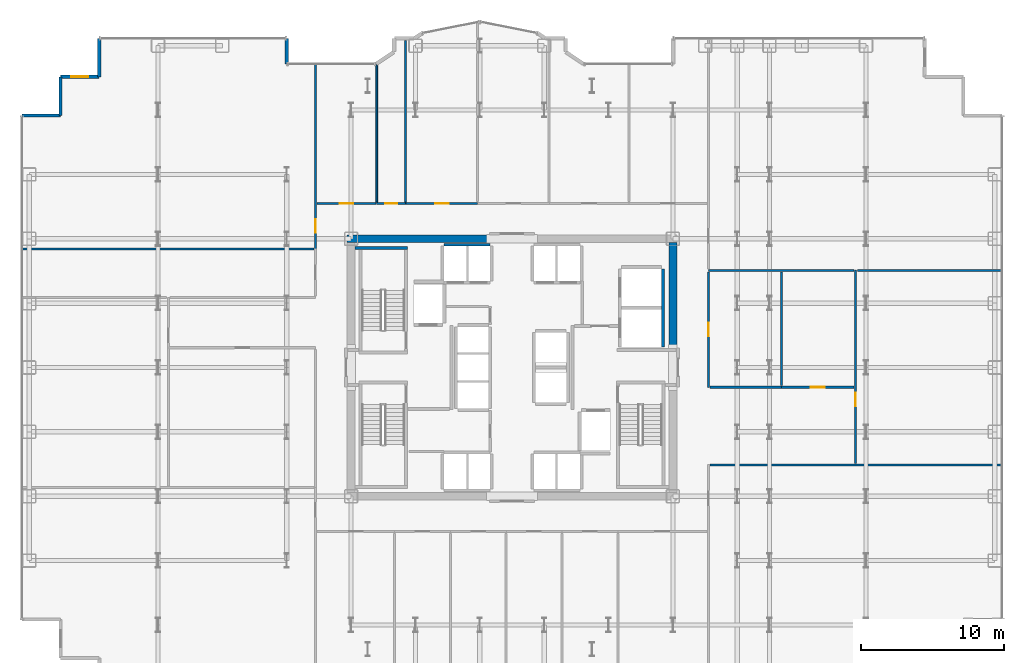
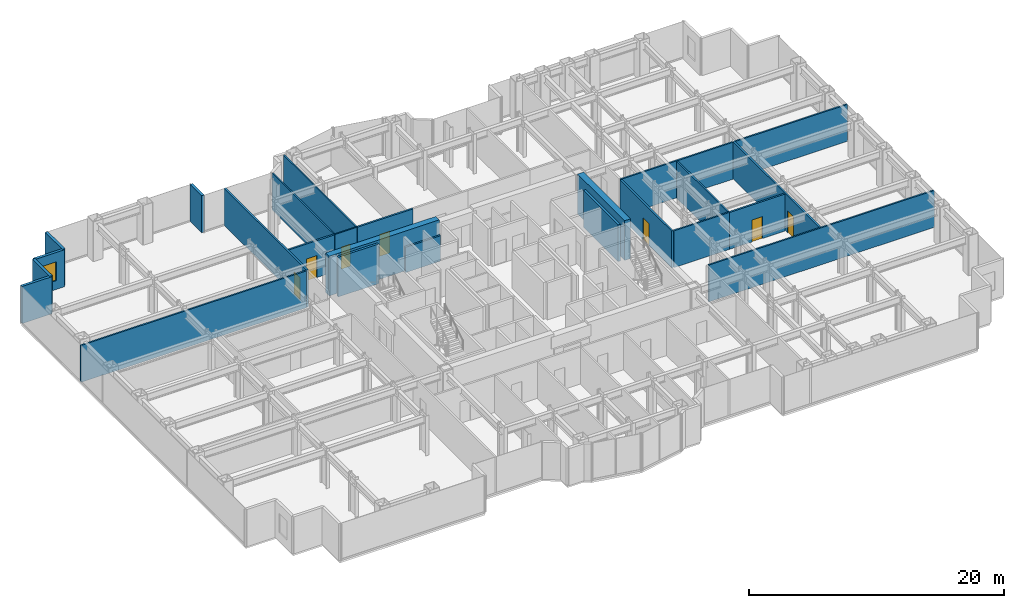
# One storey, part 23 of 25: 25 walls, 7 doors, 1 window, 8 openings.
"""IFC4 building model written with IfcOpenShell, lengths in metres."""

import ifcopenshell
import ifcopenshell.guid

model = None  # the IFC model being written
_history = None  # IfcOwnerHistory: only IFC2X3 demands one
_inside = {}  # id of a spatial element -> (the spatial element, [elements in it])
_under = {}  # id of a project, library or spatial element -> (it, [spatial elements below it])
_declared = {}  # id of a project -> (the project, [libraries it declares])
_typed = {}  # id of a type object -> (the type object, [elements of that type])
_made_of = {}  # id of a material, layer set ... -> (it, [elements and type objects made of it])


def new_model(schema):
    """Start an empty IFC model of exactly this schema.

    Asked for "IFC4X3", IfcOpenShell would pick the latest addendum, in which some entities
    have other attributes; the version numbers below select the first issue.
    IFC2X3 requires an IfcOwnerHistory on every rooted entity: one is made here for all.
    """
    global model, _history
    if schema == "IFC4X3":
        model = ifcopenshell.file(schema_version=(4, 3, 0, 0))
    else:
        model = ifcopenshell.file(schema=schema)
    _inside.clear()
    _under.clear()
    _declared.clear()
    _typed.clear()
    _made_of.clear()
    _history = None
    if model.schema == "IFC2X3":
        org = make("IfcOrganization", Name="unknown")
        user = make(
            "IfcPersonAndOrganization",
            ThePerson=make("IfcPerson", FamilyName="unknown"),
            TheOrganization=org,
        )
        app = make(
            "IfcApplication",
            ApplicationDeveloper=org,
            Version="unknown",
            ApplicationFullName="unknown",
            ApplicationIdentifier="unknown",
        )
        _history = make(
            "IfcOwnerHistory",
            OwningUser=user,
            OwningApplication=app,
            ChangeAction="ADDED",
            CreationDate=0,
        )
    return model


def make(cls, **values):
    """One entity of the class cls with the attributes given. An attribute that is None is left unset."""
    return model.create_entity(
        cls, **{name: value for name, value in values.items() if value is not None}
    )


def rooted(cls, **values):
    """An entity with a GlobalId (a new one), such as an element, a storey or a relation."""
    return make(cls, GlobalId=ifcopenshell.guid.new(), OwnerHistory=_history, **values)


def si_unit(unit_type, name, prefix=None):
    """IfcSIUnit, for example si_unit("LENGTHUNIT", "METRE", prefix="MILLI")."""
    return make("IfcSIUnit", UnitType=unit_type, Prefix=prefix, Name=name)


def assignment(units):
    """IfcUnitAssignment: the units of a project."""
    return None if units is None else make("IfcUnitAssignment", Units=units)


def point(xyz):
    """IfcCartesianPoint."""
    return None if xyz is None else make("IfcCartesianPoint", Coordinates=xyz)


def direction(xyz):
    """IfcDirection."""
    return None if xyz is None else make("IfcDirection", DirectionRatios=xyz)


def frame(location, z_axis=None, x_axis=None):
    """IfcAxis2Placement3D, a coordinate frame: its origin and axes. An axis left out is left unset."""
    return make(
        "IfcAxis2Placement3D",
        Location=point(location),
        Axis=direction(z_axis),
        RefDirection=direction(x_axis),
    )


def frame_2d(location, x_axis=None):
    """IfcAxis2Placement2D, a coordinate frame in the plane: its origin and x axis."""
    return make(
        "IfcAxis2Placement2D", Location=point(location), RefDirection=direction(x_axis)
    )


def origin():
    """The frame at (0, 0, 0) with its axes left unset."""
    return frame((0.0, 0.0, 0.0))


def place(relative_to, where):
    """IfcLocalPlacement: puts the frame where relative to a parent placement (None: the world)."""
    return make(
        "IfcLocalPlacement", PlacementRelTo=relative_to, RelativePlacement=where
    )


def context(
    kind, dimensions, precision=None, world=None, true_north=None, identifier=None
):
    """IfcGeometricRepresentationContext, for example the 3D "Model" context."""
    return make(
        "IfcGeometricRepresentationContext",
        ContextIdentifier=identifier,
        ContextType=kind,
        CoordinateSpaceDimension=dimensions,
        Precision=precision,
        WorldCoordinateSystem=world,
        TrueNorth=true_north,
    )


def subcontext(parent, identifier, kind, view, scale=None):
    """IfcGeometricRepresentationSubContext, for example "Body" below "Model"."""
    return make(
        "IfcGeometricRepresentationSubContext",
        ContextIdentifier=identifier,
        ContextType=kind,
        ParentContext=parent,
        TargetScale=scale,
        TargetView=view,
    )


def project(units=None, contexts=None):
    """IfcProject with its units and contexts."""
    return rooted(
        "IfcProject",
        Name="project",
        RepresentationContexts=contexts,
        UnitsInContext=assignment(units),
    )


def spatial(cls, under=None, at=None, **own):
    """A site, building, storey or space (cls), placed at a placement, below another one or the project."""
    s = rooted(cls, ObjectPlacement=at, **own)
    if under is not None:
        _under.setdefault(under.id(), (under, []))[1].append(s)
    return s


def profile(cls, at=None, kind="AREA", **sizes):
    """A parametric profile (cls). Its sizes go by their IFC names, for example OverallWidth=200.0."""
    return make(cls, ProfileType=kind, Position=at, **sizes)


def rectangle(**sizes):
    """IfcRectangleProfileDef."""
    return profile("IfcRectangleProfileDef", **sizes)


def extrude(swept, where, along, depth):
    """IfcExtrudedAreaSolid: the profile swept, set in the frame where, extruded along a direction by depth."""
    return make(
        "IfcExtrudedAreaSolid",
        SweptArea=swept,
        Position=where,
        ExtrudedDirection=direction(along),
        Depth=depth,
    )


def shape(context_of_items, identifier, shape_type, items):
    """IfcShapeRepresentation: the items that make up one representation, for example the "Body"."""
    return make(
        "IfcShapeRepresentation",
        ContextOfItems=context_of_items,
        RepresentationIdentifier=identifier,
        RepresentationType=shape_type,
        Items=items,
    )


def source(mapping_origin, context_of_items, identifier, shape_type, items):
    """IfcRepresentationMap: a shape defined once, which mapped items show again and again."""
    return make(
        "IfcRepresentationMap",
        MappingOrigin=mapping_origin,
        MappedRepresentation=shape(context_of_items, identifier, shape_type, items),
    )


def transform(
    local_origin,
    x_axis=None,
    y_axis=None,
    z_axis=None,
    scale=None,
    scale2=None,
    scale3=None,
    uniform=True,
):
    """IfcCartesianTransformationOperator3D, or its non-uniform kind. x_axis, y_axis, z_axis: its Axis1, 2, 3."""
    if uniform:
        return make(
            "IfcCartesianTransformationOperator3D",
            Axis1=direction(x_axis),
            Axis2=direction(y_axis),
            LocalOrigin=point(local_origin),
            Scale=scale,
            Axis3=direction(z_axis),
        )
    return make(
        "IfcCartesianTransformationOperator3DnonUniform",
        Axis1=direction(x_axis),
        Axis2=direction(y_axis),
        LocalOrigin=point(local_origin),
        Scale=scale,
        Axis3=direction(z_axis),
        Scale2=scale2,
        Scale3=scale3,
    )


def mapped(mapping_source, mapping_target):
    """IfcMappedItem: shows the shape of a source again, moved by a transform."""
    return make(
        "IfcMappedItem", MappingSource=mapping_source, MappingTarget=mapping_target
    )


def material(Name=None, Category=None):
    """IfcMaterial."""
    return make("IfcMaterial", Name=Name, Category=Category)


def layer(
    of_material, thickness, ventilated=None, Name=None, Category=None, Priority=None
):
    """IfcMaterialLayer: one layer of a wall or slab, of a material (None: an air gap)."""
    return make(
        "IfcMaterialLayer",
        Material=of_material,
        LayerThickness=thickness,
        IsVentilated=ventilated,
        Name=Name,
        Category=Category,
        Priority=Priority,
    )


def layer_set(layers, Name=None):
    """IfcMaterialLayerSet."""
    return make("IfcMaterialLayerSet", MaterialLayers=layers, LayerSetName=Name)


def made_of(thing, what):
    """Note that an element or type object is made of a material, layer set ...; save() writes the relation."""
    if what is not None:
        _made_of.setdefault(what.id(), (what, []))[1].append(thing)
    return thing


def type_object(cls, material=None, **own):
    """A type object (cls), such as IfcWallType, which elements share."""
    return made_of(rooted(cls, **own), material)


def element(
    cls,
    number,
    at=None,
    inside=None,
    cuts=None,
    type_object=None,
    material=None,
    context=None,
    identifier="Body",
    shape_type=None,
    held_by="IfcProductDefinitionShape",
    body=None,
    shapes=None,
    **own,
):
    """One element of the class cls, such as IfcWall. Its Tag is "e" and its number.

    at: its placement. inside: the storey or other place that contains it. cuts: it is an
    opening in that element (IfcRelVoidsElement). A single representation is given by context,
    identifier, shape_type and body (its items); several are given by shapes. held_by: the class
    of the entity that holds the representations. save() writes the other relations.
    """
    e = rooted(cls, Tag="e%d" % number, ObjectPlacement=at, **own)
    if body is not None:
        shapes = [shape(context, identifier, shape_type, body)]
    if shapes is not None:
        e.Representation = make(held_by, Representations=shapes)
    if inside is not None:
        _inside.setdefault(inside.id(), (inside, []))[1].append(e)
    if cuts is not None:
        rooted(
            "IfcRelVoidsElement", RelatingBuildingElement=cuts, RelatedOpeningElement=e
        )
    if type_object is not None:
        _typed.setdefault(type_object.id(), (type_object, []))[1].append(e)
    return made_of(e, material)


def fill(opening, filler):
    """IfcRelFillsElement: the door or window that sits in an opening."""
    return rooted(
        "IfcRelFillsElement",
        RelatingOpeningElement=opening,
        RelatedBuildingElement=filler,
    )


def aggregate(whole, parts):
    """IfcRelAggregates: a whole, such as a stair, and the parts it consists of."""
    return rooted("IfcRelAggregates", RelatingObject=whole, RelatedObjects=parts)


def save(model, path):
    """Write the relations noted so far, then the file.

    IfcRelAggregates (storeys below a building ...), IfcRelContainedInSpatialStructure (elements
    in a storey), IfcRelDefinesByType, IfcRelAssociatesMaterial and IfcRelDeclares: one each for
    every whole, place, type object, material and project.
    """
    for whole, parts in _under.values():
        aggregate(whole, parts)
    for where, things in _inside.values():
        rooted(
            "IfcRelContainedInSpatialStructure",
            RelatedElements=things,
            RelatingStructure=where,
        )
    for kind, things in _typed.values():
        rooted("IfcRelDefinesByType", RelatedObjects=things, RelatingType=kind)
    for what, things in _made_of.values():
        rooted("IfcRelAssociatesMaterial", RelatedObjects=things, RelatingMaterial=what)
    for by, libraries in _declared.values():
        rooted("IfcRelDeclares", RelatingContext=by, RelatedDefinitions=libraries)
    model.write(path)


model = new_model("IFC4")

# Units and contexts
model_context = context("Model", 3, precision=1e-05, world=origin(), true_north=direction((0.0, 1.0)))
body_context = subcontext(model_context, "Body", "Model", "MODEL_VIEW")
ifc_project = project(units=[si_unit("LENGTHUNIT", "METRE"), si_unit("AREAUNIT", "SQUARE_METRE"), si_unit("VOLUMEUNIT", "CUBIC_METRE"), si_unit("PLANEANGLEUNIT", "RADIAN"), si_unit("MASSUNIT", "GRAM", prefix="KILO")], contexts=[model_context])

# Site, building, storey
site_placement = place(None, origin())
site = spatial("IfcSite", under=ifc_project, at=site_placement, CompositionType="ELEMENT")
building_placement = place(site_placement, origin())
building = spatial("IfcBuilding", under=site, at=building_placement, Name="Nefas-Gora Pilgrimage Tower", CompositionType="ELEMENT")
storey_placement = place(building_placement, frame((0.0, 0.0, 98.39990234375)))
storey = spatial("IfcBuildingStorey", under=building, at=storey_placement, Name="L23", CompositionType="ELEMENT", Elevation=98.39990234375)

# Walls
ifc_material_1 = material(Name="Concrete C60/75", Category="concrete")
ifc_layer_1 = layer(ifc_material_1, 0.550048828125)
ifc_layer_set_1 = layer_set([ifc_layer_1], Name="Concrete C60/75")
wall_type_1 = type_object("IfcWallType", Name="SW-CORE-550", PredefinedType="SHEAR", material=ifc_layer_set_1)
shared_shape_1 = source(origin(), body_context, "Body", "SweptSolid", [
    extrude(rectangle(XDim=9.974853515625, YDim=0.550048828125, at=frame_2d((4.9873046875, 0.0))), origin(), (0.0, 0.0, 1.0), 3.800048828125),
])
wall_1_placement = place(storey_placement, frame((-11.52490234375, 9.0, 0.0), z_axis=(0.0, 0.0, 1.0), x_axis=(1.0, 0.0, 0.0)))
element("IfcWall", 1, at=wall_1_placement, inside=storey, type_object=wall_type_1, Name="L23 Core Shear Wall N-West", PredefinedType="SHEAR", context=body_context, shape_type="MappedRepresentation", body=[
    mapped(shared_shape_1, transform((0.0, 0.0, 0.0), x_axis=(1.0, 0.0, 0.0), y_axis=(0.0, 1.0, 0.0), z_axis=(0.0, 0.0, 1.0), scale=1.0)),
])
shared_shape_2 = source(origin(), body_context, "Body", "SweptSolid", [
    extrude(rectangle(XDim=7.375, YDim=0.550048828125, at=frame_2d((3.6875, 0.0))), origin(), (0.0, 0.0, 1.0), 3.800048828125),
])
wall_2_placement = place(storey_placement, frame((11.25, 1.35009765625, 0.0), z_axis=(0.0, 0.0, 1.0), x_axis=(0.0, 1.0, 0.0)))
element("IfcWall", 2, at=wall_2_placement, inside=storey, type_object=wall_type_1, Name="L23 Core Shear Wall E-North", PredefinedType="SHEAR", context=body_context, shape_type="MappedRepresentation", body=[
    mapped(shared_shape_2, transform((0.0, 0.0, 0.0), x_axis=(1.0, 0.0, 0.0), y_axis=(0.0, 1.0, 0.0), z_axis=(0.0, 0.0, 1.0), scale=1.0)),
])
ifc_material_2 = material(Name="Precast concrete C40/50", Category="concrete")
ifc_layer_2 = layer(ifc_material_2, 0.260009765625)
ifc_layer_set_2 = layer_set([ifc_layer_2], Name="Precast concrete C40/50")
wall_type_2 = type_object("IfcWallType", Name="EW-PORTAL-260", PredefinedType="SOLIDWALL", material=ifc_layer_set_2)
shared_shape_3 = source(origin(), body_context, "Body", "SweptSolid", [
    extrude(rectangle(XDim=1.800048828125, YDim=0.260009765625, at=frame_2d((0.89990234375, 0.0))), origin(), (0.0, 0.0, 1.0), 3.550048828125),
])
wall_3_placement = place(storey_placement, frame((-15.75, 21.219970703125, 0.0), z_axis=(0.0, 0.0, 1.0), x_axis=(0.0, 1.0, 0.0)))
element("IfcWall", 3, at=wall_3_placement, inside=storey, type_object=wall_type_2, Name="L23 Lobe Shoulder Precast Spandrel Pier 19", PredefinedType="SOLIDWALL", context=body_context, shape_type="MappedRepresentation", body=[
    mapped(shared_shape_3, transform((0.0, 0.0, 0.0), x_axis=(1.0, 0.0, 0.0), y_axis=(0.0, 1.0, 0.0), z_axis=(0.0, 0.0, 1.0), scale=1.0)),
])
ifc_material_3 = material(Name="Precast concrete C45/55", Category="concrete")
ifc_layer_3 = layer(ifc_material_3, 0.239990234375)
ifc_layer_set_3 = layer_set([ifc_layer_3], Name="Precast concrete C45/55")
wall_type_3 = type_object("IfcWallType", Name="EW-SERR-240", PredefinedType="SHEAR", material=ifc_layer_set_3)
shared_shape_4 = source(origin(), body_context, "Body", "SweptSolid", [
    extrude(rectangle(XDim=2.699951171875, YDim=0.239990234375, at=frame_2d((1.35009765625, 0.0))), origin(), (0.0, 0.0, 1.0), 3.550048828125),
])
wall_4_placement = place(storey_placement, frame((-28.8701171875, 23.02001953125, 0.0), z_axis=(0.0, 0.0, 1.0), x_axis=(0.0, -1.0, 0.0)))
element("IfcWall", 4, at=wall_4_placement, inside=storey, type_object=wall_type_3, Name="L23 Serrated Corner Shear Pier Wall 20", PredefinedType="SHEAR", context=body_context, shape_type="MappedRepresentation", body=[
    mapped(shared_shape_4, transform((0.0, 0.0, 0.0), x_axis=(1.0, 0.0, 0.0), y_axis=(0.0, 1.0, 0.0), z_axis=(0.0, 0.0, 1.0), scale=1.0)),
])

# Wall, opening, window
wall_5_placement = place(storey_placement, frame((-28.8701171875, 20.320068359375, 0.0), z_axis=(0.0, 0.0, 1.0), x_axis=(-1.0, 0.0, 0.0)))
wall_5 = element("IfcWall", 5, at=wall_5_placement, inside=storey, type_object=wall_type_3, Name="L23 Serrated Corner Shear Pier Wall 21", PredefinedType="SHEAR", context=body_context, shape_type="MappedRepresentation", body=[
    mapped(shared_shape_4, transform((0.0, 0.0, 0.0), x_axis=(1.0, 0.0, 0.0), y_axis=(0.0, 1.0, 0.0), z_axis=(0.0, 0.0, 1.0), scale=1.0)),
])
opening_1_placement = place(wall_5_placement, frame((0.75, 0.0, 0.85009765625)))
opening_1 = element("IfcOpeningElement", 6, at=opening_1_placement, cuts=wall_5, Name="Opening W-V1", PredefinedType="OPENING", context=body_context, shape_type="SweptSolid", body=[
    extrude(rectangle(XDim=1.199951171875, YDim=1.800048828125, at=frame_2d((0.60009765625, 0.89990234375))), frame((0.0, 0.1298828125, 0.0), z_axis=(0.0, -1.0, 0.0), x_axis=(1.0, 0.0, 0.0)), (0.0, 0.0, 1.0), 0.260009765625),
])
ifc_material_4 = material(Name="Dark ceramic-fritted operable aluminium-glass window", Category="aluminium")
window_type = type_object("IfcWindowType", Name="WIN-VENT-1200x1800", PartitioningType="SINGLE_PANEL", PredefinedType="WINDOW", material=ifc_material_4)
shared_shape_5 = source(origin(), body_context, "Body", "SweptSolid", [
    extrude(rectangle(XDim=1.199951171875, YDim=1.800048828125, at=frame_2d((0.60009765625, 0.89990234375))), frame((0.0, 0.030029296875, 0.0), z_axis=(0.0, -1.0, 0.0), x_axis=(1.0, 0.0, 0.0)), (0.0, 0.0, 1.0), 0.06005859375),
])
window_placement = place(opening_1_placement, origin())
window = element("IfcWindow", 7, at=window_placement, inside=storey, type_object=window_type, Name="L23 Operable Parallel-Outswing Window 21", OverallHeight=1.800048828125, OverallWidth=1.199951171875, PartitioningType="SINGLE_PANEL", PredefinedType="WINDOW", context=body_context, shape_type="MappedRepresentation", body=[
    mapped(shared_shape_5, transform((0.0, 0.0, 0.0), x_axis=(1.0, 0.0, 0.0), y_axis=(0.0, 1.0, 0.0), z_axis=(0.0, 0.0, 1.0), scale=1.0)),
])
fill(opening_1, window)

# Walls
for number, where, z_axis, x_axis, name in (
    (8, (-31.570068359375, 20.320068359375, 0.0), (0.0, 0.0, 1.0), (0.0, -1.0, 0.0), "L23 Serrated Corner Shear Pier Wall 22"),
    (9, (-31.570068359375, 17.6201171875, 0.0), (0.0, 0.0, 1.0), (-1.0, 0.0, 0.0), "L23 Serrated Corner Shear Pier Wall 23"),
):
    element("IfcWall", number, at=place(storey_placement, frame(where, z_axis=z_axis, x_axis=x_axis)), inside=storey, type_object=wall_type_3, Name=name, PredefinedType="SHEAR", context=body_context, shape_type="MappedRepresentation", body=[
        mapped(shared_shape_4, transform((0.0, 0.0, 0.0), x_axis=(1.0, 0.0, 0.0), y_axis=(0.0, 1.0, 0.0), z_axis=(0.0, 0.0, 1.0), scale=1.0)),
    ])
ifc_material_5 = material(Name="Concrete C45/55", Category="concrete")
ifc_layer_4 = layer(ifc_material_5, 0.199951171875)
ifc_layer_set_4 = layer_set([ifc_layer_4], Name="Concrete C45/55")
wall_type_4 = type_object("IfcWallType", Name="IW-STAIR-200", PredefinedType="SOLIDWALL", material=ifc_layer_set_4)
shared_shape_6 = source(origin(), body_context, "Body", "SweptSolid", [
    extrude(rectangle(XDim=3.679931640625, YDim=0.199951171875, at=frame_2d((1.83984375, 0.0))), origin(), (0.0, 0.0, 1.0), 3.800048828125),
])
wall_6_placement = place(storey_placement, frame((-7.300048828125, 8.35009765625, 0.0), z_axis=(0.0, 0.0, 1.0), x_axis=(-1.0, 0.0, 0.0)))
element("IfcWall", 10, at=wall_6_placement, inside=storey, type_object=wall_type_4, Name="L23 Stairwell Shear Wall ST-01-far", PredefinedType="SOLIDWALL", context=body_context, shape_type="MappedRepresentation", body=[
    mapped(shared_shape_6, transform((0.0, 0.0, 0.0), x_axis=(1.0, 0.0, 0.0), y_axis=(0.0, 1.0, 0.0), z_axis=(0.0, 0.0, 1.0), scale=1.0)),
])
ifc_material_6 = material(Name="Gypsum acoustic stud partition")
ifc_layer_5 = layer(ifc_material_6, 0.159912109375)
ifc_layer_set_5 = layer_set([ifc_layer_5], Name="Gypsum acoustic stud partition")
wall_type_5 = type_object("IfcWallType", Name="IW-CORR-160", PredefinedType="PARTITIONING", material=ifc_layer_set_5)
shared_shape_7 = source(origin(), body_context, "Body", "SweptSolid", [
    extrude(rectangle(XDim=3.199951171875, YDim=0.159912109375, at=frame_2d((1.60009765625, 0.0))), origin(), (0.0, 0.0, 1.0), 2.425048828125),
])
wall_7_placement = place(storey_placement, frame((-1.550048828125, 8.580078125, 0.0), z_axis=(0.0, 0.0, 1.0), x_axis=(-1.0, 0.0, 0.0)))
element("IfcWall", 11, at=wall_7_placement, inside=storey, type_object=wall_type_5, Name="L23 Hoistway Wall PL1-W-N", PredefinedType="PARTITIONING", context=body_context, shape_type="MappedRepresentation", body=[
    mapped(shared_shape_7, transform((0.0, 0.0, 0.0), x_axis=(1.0, 0.0, 0.0), y_axis=(0.0, 1.0, 0.0), z_axis=(0.0, 0.0, 1.0), scale=1.0)),
])
ifc_material_7 = material(Name="Concrete C40/50", Category="concrete")
ifc_layer_6 = layer(ifc_material_7, 0.219970703125)
ifc_layer_set_6 = layer_set([ifc_layer_6], Name="Concrete C40/50")
wall_type_6 = type_object("IfcWallType", Name="IW-SHAFT-220", PredefinedType="SOLIDWALL", material=ifc_layer_set_6)
shared_shape_8 = source(origin(), body_context, "Body", "SweptSolid", [
    extrude(rectangle(XDim=5.449951171875, YDim=0.219970703125, at=frame_2d((2.72509765625, 0.0))), origin(), (0.0, 0.0, 1.0), 3.53515625),
])
wall_8_placement = place(storey_placement, frame((10.56005859375, 1.449951171875, 0.0), z_axis=(0.0, 0.0, 1.0), x_axis=(0.0, 1.0, 0.0)))
element("IfcWall", 12, at=wall_8_placement, inside=storey, type_object=wall_type_6, Name="L23 Hoistway Wall SL-01-02-E", PredefinedType="SOLIDWALL", context=body_context, shape_type="MappedRepresentation", body=[
    mapped(shared_shape_8, transform((0.0, 0.0, 0.0), x_axis=(1.0, 0.0, 0.0), y_axis=(0.0, 1.0, 0.0), z_axis=(0.0, 0.0, 1.0), scale=1.0)),
])

# Wall, opening, door
ifc_material_8 = material(Name="Moisture-resistant fire-rated gypsum partition")
ifc_layer_7 = layer(ifc_material_8, 0.1201171875)
ifc_layer_set_7 = layer_set([ifc_layer_7], Name="Moisture-resistant fire-rated gypsum partition")
wall_type_7 = type_object("IfcWallType", Name="IW-WET-120", PredefinedType="PLUMBINGWALL", material=ifc_layer_set_7)
shared_shape_9 = source(origin(), body_context, "Body", "SweptSolid", [
    extrude(rectangle(XDim=2.02001953125, YDim=0.1201171875, at=frame_2d((1.010009765625, 0.0))), origin(), (0.0, 0.0, 1.0), 3.53515625),
])
wall_9_placement = place(storey_placement, frame((-9.4599609375, 11.469970703125, 0.0), z_axis=(0.0, 0.0, 1.0), x_axis=(1.0, 0.0, 0.0)))
wall_9 = element("IfcWall", 13, at=wall_9_placement, inside=storey, type_object=wall_type_7, Name="L23 Accessible Unisex WC Partition Wall 20", PredefinedType="PLUMBINGWALL", context=body_context, shape_type="MappedRepresentation", body=[
    mapped(shared_shape_9, transform((0.0, 0.0, 0.0), x_axis=(1.0, 0.0, 0.0), y_axis=(0.0, 1.0, 0.0), z_axis=(0.0, 0.0, 1.0), scale=1.0)),
])
opening_2_placement = place(wall_9_placement, frame((0.5849609375, 0.0, 0.0)))
opening_2 = element("IfcOpeningElement", 14, at=opening_2_placement, cuts=wall_9, Name="Opening ID-BT1", PredefinedType="OPENING", context=body_context, shape_type="SweptSolid", body=[
    extrude(rectangle(XDim=0.85009765625, YDim=2.10009765625, at=frame_2d((0.425048828125, 1.050048828125))), frame((0.0, 0.070068359375, 0.0), z_axis=(0.0, -1.0, 0.0), x_axis=(1.0, 0.0, 0.0)), (0.0, 0.0, 1.0), 0.14013671875),
])
ifc_material_9 = material(Name="Moisture-resistant fire-rated timber door", Category="wood")
door_type_1 = type_object("IfcDoorType", Name="DR-INT-BATH-850", OperationType="NOTDEFINED", PredefinedType="DOOR", material=ifc_material_9)
shared_shape_10 = source(origin(), body_context, "Body", "SweptSolid", [
    extrude(rectangle(XDim=0.85009765625, YDim=2.10009765625, at=frame_2d((0.425048828125, 1.050048828125))), frame((0.0, 0.02490234375, 0.0), z_axis=(0.0, -1.0, 0.0), x_axis=(1.0, 0.0, 0.0)), (0.0, 0.0, 1.0), 0.050048828125),
])
door_1_placement = place(opening_2_placement, origin())
door_1 = element("IfcDoor", 15, at=door_1_placement, inside=storey, type_object=door_type_1, Name="L23 Accessible Unisex WC Door 8", OperationType="SINGLE_SWING_LEFT", OverallHeight=2.10009765625, OverallWidth=0.85009765625, PredefinedType="DOOR", context=body_context, shape_type="MappedRepresentation", body=[
    mapped(shared_shape_10, transform((0.0, 0.0, 0.0), x_axis=(1.0, 0.0, 0.0), y_axis=(0.0, 1.0, 0.0), z_axis=(0.0, 0.0, 1.0), scale=1.0)),
])
fill(opening_2, door_1)

# Walls
shared_shape_11 = source(origin(), body_context, "Body", "SweptSolid", [
    extrude(rectangle(XDim=11.280029296875, YDim=0.1201171875, at=frame_2d((5.64013671875, 0.0))), origin(), (0.0, 0.0, 1.0), 3.53515625),
])
wall_10_placement = place(storey_placement, frame((-7.449951171875, 11.570068359375, 0.0), z_axis=(0.0, 0.0, 1.0), x_axis=(0.0, 1.0, 0.0)))
element("IfcWall", 16, at=wall_10_placement, inside=storey, type_object=wall_type_7, Name="L23 Accessible Unisex WC Partition Wall 21", PredefinedType="PLUMBINGWALL", context=body_context, shape_type="MappedRepresentation", body=[
    mapped(shared_shape_11, transform((0.0, 0.0, 0.0), x_axis=(1.0, 0.0, 0.0), y_axis=(0.0, 1.0, 0.0), z_axis=(0.0, 0.0, 1.0), scale=1.0)),
])
shared_shape_12 = source(origin(), body_context, "Body", "SweptSolid", [
    extrude(rectangle(XDim=9.586669921875, YDim=0.1201171875, at=frame_2d((4.79345703125, 0.0))), origin(), (0.0, 0.0, 1.0), 3.53515625),
])
wall_11_placement = place(storey_placement, frame((-9.449951171875, 11.570068359375, 0.0), z_axis=(0.0, 0.0, 1.0), x_axis=(0.0, 1.0, 0.0)))
element("IfcWall", 17, at=wall_11_placement, inside=storey, type_object=wall_type_7, Name="L23 Accessible Unisex WC Partition Wall 22", PredefinedType="PLUMBINGWALL", context=body_context, shape_type="MappedRepresentation", body=[
    mapped(shared_shape_12, transform((0.0, 0.0, 0.0), x_axis=(1.0, 0.0, 0.0), y_axis=(0.0, 1.0, 0.0), z_axis=(0.0, 0.0, 1.0), scale=1.0)),
])
ifc_material_10 = material(Name="Gypsum twin-stud partition")
ifc_layer_8 = layer(ifc_material_10, 0.139892578125)
ifc_layer_set_8 = layer_set([ifc_layer_8], Name="Gypsum twin-stud partition")
wall_type_8 = type_object("IfcWallType", Name="IW-UNIT-140", PredefinedType="PARTITIONING", material=ifc_layer_set_8)
shared_shape_13 = source(origin(), body_context, "Body", "SweptSolid", [
    extrude(rectangle(XDim=10.169921875, YDim=0.139892578125, at=frame_2d((5.0849609375, 0.0))), origin(), (0.0, 0.0, 1.0), 3.53515625),
])
wall_12_placement = place(storey_placement, frame((13.72998046875, 6.794921875, 0.0), z_axis=(0.0, 0.0, 1.0), x_axis=(1.0, 0.0, 0.0)))
element("IfcWall", 18, at=wall_12_placement, inside=storey, type_object=wall_type_8, Name="L23 Pilgrim Fellowship Seminar Room Partition Wall 36", PredefinedType="PARTITIONING", context=body_context, shape_type="MappedRepresentation", body=[
    mapped(shared_shape_13, transform((0.0, 0.0, 0.0), x_axis=(1.0, 0.0, 0.0), y_axis=(0.0, 1.0, 0.0), z_axis=(0.0, 0.0, 1.0), scale=1.0)),
])
shared_shape_14 = source(origin(), body_context, "Body", "SweptSolid", [
    extrude(rectangle(XDim=4.994873046875, YDim=0.139892578125, at=frame_2d((2.49755859375, 0.0))), origin(), (0.0, 0.0, 1.0), 3.53515625),
])
wall_13_placement = place(storey_placement, frame((13.860107421875, -1.3798828125, 0.0), z_axis=(0.0, 0.0, 1.0), x_axis=(1.0, 0.0, 0.0)))
element("IfcWall", 19, at=wall_13_placement, inside=storey, type_object=wall_type_8, Name="L23 Pilgrim Fellowship Seminar Room Partition Wall 39", PredefinedType="PARTITIONING", context=body_context, shape_type="MappedRepresentation", body=[
    mapped(shared_shape_14, transform((0.0, 0.0, 0.0), x_axis=(1.0, 0.0, 0.0), y_axis=(0.0, 1.0, 0.0), z_axis=(0.0, 0.0, 1.0), scale=1.0)),
])

# Wall, opening, door
shared_shape_15 = source(origin(), body_context, "Body", "SweptSolid", [
    extrude(rectangle(XDim=5.044921875, YDim=0.159912109375, at=frame_2d((2.5224609375, 0.0))), origin(), (0.0, 0.0, 1.0), 3.53515625),
])
wall_14_placement = place(storey_placement, frame((18.85498046875, -1.3798828125, 0.0), z_axis=(0.0, 0.0, 1.0), x_axis=(1.0, 0.0, 0.0)))
wall_14 = element("IfcWall", 20, at=wall_14_placement, inside=storey, type_object=wall_type_5, Name="L23 Pastoral Chaplains Counselling Office Partition Wall 41", PredefinedType="PARTITIONING", context=body_context, shape_type="MappedRepresentation", body=[
    mapped(shared_shape_15, transform((0.0, 0.0, 0.0), x_axis=(1.0, 0.0, 0.0), y_axis=(0.0, 1.0, 0.0), z_axis=(0.0, 0.0, 1.0), scale=1.0)),
])
opening_3_placement = place(wall_14_placement, frame((2.047607421875, 0.0, 0.0)))
opening_3 = element("IfcOpeningElement", 21, at=opening_3_placement, cuts=wall_14, Name="Opening ID-GR1", PredefinedType="OPENING", context=body_context, shape_type="SweptSolid", body=[
    extrude(rectangle(XDim=0.949951171875, YDim=2.10009765625, at=frame_2d((0.47509765625, 1.050048828125))), frame((0.0, 0.08984375, 0.0), z_axis=(0.0, -1.0, 0.0), x_axis=(1.0, 0.0, 0.0)), (0.0, 0.0, 1.0), 0.179931640625),
])
ifc_material_11 = material(Name="Solid core oak fire-rated guest entrance door")
door_type_2 = type_object("IfcDoorType", Name="DR-INT-GUEST-950", OperationType="NOTDEFINED", PredefinedType="DOOR", material=ifc_material_11)
shared_shape_16 = source(origin(), body_context, "Body", "SweptSolid", [
    extrude(rectangle(XDim=0.949951171875, YDim=2.10009765625, at=frame_2d((0.47509765625, 1.050048828125))), frame((0.0, 0.02490234375, 0.0), z_axis=(0.0, -1.0, 0.0), x_axis=(1.0, 0.0, 0.0)), (0.0, 0.0, 1.0), 0.050048828125),
])
door_2_placement = place(opening_3_placement, origin())
door_2 = element("IfcDoor", 22, at=door_2_placement, inside=storey, type_object=door_type_2, Name="L23 Pastoral Chaplains Counselling Office Door 17", OperationType="SINGLE_SWING_RIGHT", OverallHeight=2.10009765625, OverallWidth=0.949951171875, PredefinedType="DOOR", context=body_context, shape_type="MappedRepresentation", body=[
    mapped(shared_shape_16, transform((0.0, 0.0, 0.0), x_axis=(1.0, 0.0, 0.0), y_axis=(0.0, 1.0, 0.0), z_axis=(0.0, 0.0, 1.0), scale=1.0)),
])
fill(opening_3, door_2)

shared_shape_17 = source(origin(), body_context, "Body", "SweptSolid", [
    extrude(rectangle(XDim=4.125, YDim=0.159912109375, at=frame_2d((2.0625, 0.0))), origin(), (0.0, 0.0, 1.0), 3.53515625),
])
wall_15_placement = place(storey_placement, frame((-13.6201171875, 11.469970703125, 0.0), z_axis=(0.0, 0.0, 1.0), x_axis=(1.0, 0.0, 0.0)))
wall_15 = element("IfcWall", 23, at=wall_15_placement, inside=storey, type_object=wall_type_5, Name="L23 Pilgrim Contemplative Lounge Partition Wall 43", PredefinedType="PARTITIONING", context=body_context, shape_type="MappedRepresentation", body=[
    mapped(shared_shape_17, transform((0.0, 0.0, 0.0), x_axis=(1.0, 0.0, 0.0), y_axis=(0.0, 1.0, 0.0), z_axis=(0.0, 0.0, 1.0), scale=1.0)),
])
opening_4_placement = place(wall_15_placement, frame((1.58740234375, 0.0, 0.0)))
opening_4 = element("IfcOpeningElement", 24, at=opening_4_placement, cuts=wall_15, Name="Opening ID-GR1", PredefinedType="OPENING", context=body_context, shape_type="SweptSolid", body=[
    extrude(rectangle(XDim=0.949951171875, YDim=2.10009765625, at=frame_2d((0.47509765625, 1.050048828125))), frame((0.0, 0.08984375, 0.0), z_axis=(0.0, -1.0, 0.0), x_axis=(1.0, 0.0, 0.0)), (0.0, 0.0, 1.0), 0.179931640625),
])
door_3_placement = place(opening_4_placement, origin())
door_3 = element("IfcDoor", 25, at=door_3_placement, inside=storey, type_object=door_type_2, Name="L23 Pilgrim Contemplative Lounge Door 19", OperationType="SINGLE_SWING_RIGHT", OverallHeight=2.10009765625, OverallWidth=0.949951171875, PredefinedType="DOOR", context=body_context, shape_type="MappedRepresentation", body=[
    mapped(shared_shape_16, transform((0.0, 0.0, 0.0), x_axis=(1.0, 0.0, 0.0), y_axis=(0.0, 1.0, 0.0), z_axis=(0.0, 0.0, 1.0), scale=1.0)),
])
fill(opening_4, door_3)

# Walls
shared_shape_18 = source(origin(), body_context, "Body", "SweptSolid", [
    extrude(rectangle(XDim=20.429931640625, YDim=0.139892578125, at=frame_2d((10.21484375, 0.0))), origin(), (0.0, 0.0, 1.0), 3.53515625),
])
for number, where, z_axis, x_axis, name in (
    (26, (-34.2900390625, 8.294921875, 0.0), (0.0, 0.0, 1.0), (1.0, 0.0, 0.0), "L23 Pilgrim Tea and Beverage Pantry Partition Wall 31"),
    (27, (13.860107421875, -6.804931640625, 0.0), (0.0, 0.0, 1.0), (1.0, 0.0, 0.0), "L23 Pilgrim Fellowship Seminar Room Partition Wall 34"),
):
    element("IfcWall", number, at=place(storey_placement, frame(where, z_axis=z_axis, x_axis=x_axis)), inside=storey, type_object=wall_type_8, Name=name, PredefinedType="PARTITIONING", context=body_context, shape_type="MappedRepresentation", body=[
        mapped(shared_shape_18, transform((0.0, 0.0, 0.0), x_axis=(1.0, 0.0, 0.0), y_axis=(0.0, 1.0, 0.0), z_axis=(0.0, 0.0, 1.0), scale=1.0)),
    ])
shared_shape_19 = source(origin(), body_context, "Body", "SweptSolid", [
    extrude(rectangle(XDim=10.150146484375, YDim=0.139892578125, at=frame_2d((5.0751953125, 0.0))), origin(), (0.0, 0.0, 1.0), 3.53515625),
])
wall_16_placement = place(storey_placement, frame((24.139892578125, 6.794921875, 0.0), z_axis=(0.0, 0.0, 1.0), x_axis=(1.0, 0.0, 0.0)))
element("IfcWall", 28, at=wall_16_placement, inside=storey, type_object=wall_type_8, Name="L23 Pilgrim Fellowship Seminar Room Partition Wall 37", PredefinedType="PARTITIONING", context=body_context, shape_type="MappedRepresentation", body=[
    mapped(shared_shape_19, transform((0.0, 0.0, 0.0), x_axis=(1.0, 0.0, 0.0), y_axis=(0.0, 1.0, 0.0), z_axis=(0.0, 0.0, 1.0), scale=1.0)),
])

# Wall, opening, door
shared_shape_20 = source(origin(), body_context, "Body", "SweptSolid", [
    extrude(rectangle(XDim=12.945068359375, YDim=0.159912109375, at=frame_2d((6.47265625, 0.0))), origin(), (0.0, 0.0, 1.0), 3.53515625),
])
wall_17_placement = place(storey_placement, frame((-13.739990234375, 8.294921875, 0.0), z_axis=(0.0, 0.0, 1.0), x_axis=(0.0, 1.0, 0.0)))
wall_17 = element("IfcWall", 29, at=wall_17_placement, inside=storey, type_object=wall_type_5, Name="L23 Pilgrim Fellowship Seminar Room Partition Wall 32", PredefinedType="PARTITIONING", context=body_context, shape_type="MappedRepresentation", body=[
    mapped(shared_shape_20, transform((0.0, 0.0, 0.0), x_axis=(1.0, 0.0, 0.0), y_axis=(0.0, 1.0, 0.0), z_axis=(0.0, 0.0, 1.0), scale=1.0)),
])
opening_5_placement = place(wall_17_placement, frame((1.132568359375, 0.0, 0.0)))
opening_5 = element("IfcOpeningElement", 30, at=opening_5_placement, cuts=wall_17, Name="Opening ID-GR1", PredefinedType="OPENING", context=body_context, shape_type="SweptSolid", body=[
    extrude(rectangle(XDim=0.949951171875, YDim=2.10009765625, at=frame_2d((0.47509765625, 1.050048828125))), frame((0.0, 0.08984375, 0.0), z_axis=(0.0, -1.0, 0.0), x_axis=(1.0, 0.0, 0.0)), (0.0, 0.0, 1.0), 0.179931640625),
])
door_4_placement = place(opening_5_placement, origin())
door_4 = element("IfcDoor", 31, at=door_4_placement, inside=storey, type_object=door_type_2, Name="L23 Pilgrim Fellowship Seminar Room Door 13", OperationType="SINGLE_SWING_RIGHT", OverallHeight=2.10009765625, OverallWidth=0.949951171875, PredefinedType="DOOR", context=body_context, shape_type="MappedRepresentation", body=[
    mapped(shared_shape_16, transform((0.0, 0.0, 0.0), x_axis=(1.0, 0.0, 0.0), y_axis=(0.0, 1.0, 0.0), z_axis=(0.0, 0.0, 1.0), scale=1.0)),
])
fill(opening_5, door_4)

shared_shape_21 = source(origin(), body_context, "Body", "SweptSolid", [
    extrude(rectangle(XDim=13.5, YDim=0.159912109375, at=frame_2d((6.75, 0.0))), origin(), (0.0, 0.0, 1.0), 3.53515625),
])
wall_18_placement = place(storey_placement, frame((24.02001953125, -6.695068359375, 0.0), z_axis=(0.0, 0.0, 1.0), x_axis=(0.0, 1.0, 0.0)))
wall_18 = element("IfcWall", 32, at=wall_18_placement, inside=storey, type_object=wall_type_5, Name="L23 Pilgrim Fellowship Seminar Room Partition Wall 35", PredefinedType="PARTITIONING", context=body_context, shape_type="MappedRepresentation", body=[
    mapped(shared_shape_21, transform((0.0, 0.0, 0.0), x_axis=(1.0, 0.0, 0.0), y_axis=(0.0, 1.0, 0.0), z_axis=(0.0, 0.0, 1.0), scale=1.0)),
])
opening_6_placement = place(wall_18_placement, frame((3.969970703125, 0.0, 0.0)))
opening_6 = element("IfcOpeningElement", 33, at=opening_6_placement, cuts=wall_18, Name="Opening ID-GR1", PredefinedType="OPENING", context=body_context, shape_type="SweptSolid", body=[
    extrude(rectangle(XDim=0.949951171875, YDim=2.10009765625, at=frame_2d((0.47509765625, 1.050048828125))), frame((0.0, 0.08984375, 0.0), z_axis=(0.0, -1.0, 0.0), x_axis=(1.0, 0.0, 0.0)), (0.0, 0.0, 1.0), 0.179931640625),
])
door_5_placement = place(opening_6_placement, origin())
door_5 = element("IfcDoor", 34, at=door_5_placement, inside=storey, type_object=door_type_2, Name="L23 Pilgrim Fellowship Seminar Room Door 15", OperationType="SINGLE_SWING_RIGHT", OverallHeight=2.10009765625, OverallWidth=0.949951171875, PredefinedType="DOOR", context=body_context, shape_type="MappedRepresentation", body=[
    mapped(shared_shape_16, transform((0.0, 0.0, 0.0), x_axis=(1.0, 0.0, 0.0), y_axis=(0.0, 1.0, 0.0), z_axis=(0.0, 0.0, 1.0), scale=1.0)),
])
fill(opening_6, door_5)

shared_shape_22 = source(origin(), body_context, "Body", "SweptSolid", [
    extrude(rectangle(XDim=8.074951171875, YDim=0.159912109375, at=frame_2d((4.03759765625, 0.0))), origin(), (0.0, 0.0, 1.0), 3.53515625),
])
wall_19_placement = place(storey_placement, frame((13.739990234375, -1.389892578125, 0.0), z_axis=(0.0, 0.0, 1.0), x_axis=(0.0, 1.0, 0.0)))
wall_19 = element("IfcWall", 35, at=wall_19_placement, inside=storey, type_object=wall_type_5, Name="L23 Pilgrim Fellowship Seminar Room Partition Wall 38", PredefinedType="PARTITIONING", context=body_context, shape_type="MappedRepresentation", body=[
    mapped(shared_shape_22, transform((0.0, 0.0, 0.0), x_axis=(1.0, 0.0, 0.0), y_axis=(0.0, 1.0, 0.0), z_axis=(0.0, 0.0, 1.0), scale=1.0)),
])
opening_7_placement = place(wall_19_placement, frame((3.5625, 0.0, 0.0)))
opening_7 = element("IfcOpeningElement", 36, at=opening_7_placement, cuts=wall_19, Name="Opening ID-GR1", PredefinedType="OPENING", context=body_context, shape_type="SweptSolid", body=[
    extrude(rectangle(XDim=0.949951171875, YDim=2.10009765625, at=frame_2d((0.47509765625, 1.050048828125))), frame((0.0, 0.08984375, 0.0), z_axis=(0.0, -1.0, 0.0), x_axis=(1.0, 0.0, 0.0)), (0.0, 0.0, 1.0), 0.179931640625),
])
door_6_placement = place(opening_7_placement, origin())
door_6 = element("IfcDoor", 37, at=door_6_placement, inside=storey, type_object=door_type_2, Name="L23 Pilgrim Fellowship Seminar Room Door 16", OperationType="SINGLE_SWING_LEFT", OverallHeight=2.10009765625, OverallWidth=0.949951171875, PredefinedType="DOOR", context=body_context, shape_type="MappedRepresentation", body=[
    mapped(shared_shape_16, transform((0.0, 0.0, 0.0), x_axis=(1.0, 0.0, 0.0), y_axis=(0.0, 1.0, 0.0), z_axis=(0.0, 0.0, 1.0), scale=1.0)),
])
fill(opening_7, door_6)

# Wall
shared_shape_23 = source(origin(), body_context, "Body", "SweptSolid", [
    extrude(rectangle(XDim=7.955078125, YDim=0.139892578125, at=frame_2d((3.9775390625, 0.0))), origin(), (0.0, 0.0, 1.0), 3.53515625),
])
wall_20_placement = place(storey_placement, frame((18.844970703125, -1.27001953125, 0.0), z_axis=(0.0, 0.0, 1.0), x_axis=(0.0, 1.0, 0.0)))
element("IfcWall", 38, at=wall_20_placement, inside=storey, type_object=wall_type_8, Name="L23 Pilgrim Fellowship Seminar Room Partition Wall 40", PredefinedType="PARTITIONING", context=body_context, shape_type="MappedRepresentation", body=[
    mapped(shared_shape_23, transform((0.0, 0.0, 0.0), x_axis=(1.0, 0.0, 0.0), y_axis=(0.0, 1.0, 0.0), z_axis=(0.0, 0.0, 1.0), scale=1.0)),
])

# Wall, opening, door
shared_shape_24 = source(origin(), body_context, "Body", "SweptSolid", [
    extrude(rectangle(XDim=5.005126953125, YDim=0.159912109375, at=frame_2d((2.50244140625, 0.0))), origin(), (0.0, 0.0, 1.0), 3.53515625),
])
wall_21_placement = place(storey_placement, frame((-7.405029296875, 11.469970703125, 0.0), z_axis=(0.0, 0.0, 1.0), x_axis=(1.0, 0.0, 0.0)))
wall_21 = element("IfcWall", 39, at=wall_21_placement, inside=storey, type_object=wall_type_5, Name="L23 Pilgrim Contemplative Lounge Partition Wall 44", PredefinedType="PARTITIONING", context=body_context, shape_type="MappedRepresentation", body=[
    mapped(shared_shape_24, transform((0.0, 0.0, 0.0), x_axis=(1.0, 0.0, 0.0), y_axis=(0.0, 1.0, 0.0), z_axis=(0.0, 0.0, 1.0), scale=1.0)),
])
opening_8_placement = place(wall_21_placement, frame((2.027587890625, 0.0, 0.0)))
opening_8 = element("IfcOpeningElement", 40, at=opening_8_placement, cuts=wall_21, Name="Opening ID-GR1", PredefinedType="OPENING", context=body_context, shape_type="SweptSolid", body=[
    extrude(rectangle(XDim=0.949951171875, YDim=2.10009765625, at=frame_2d((0.47509765625, 1.050048828125))), frame((0.0, 0.08984375, 0.0), z_axis=(0.0, -1.0, 0.0), x_axis=(1.0, 0.0, 0.0)), (0.0, 0.0, 1.0), 0.179931640625),
])
door_7_placement = place(opening_8_placement, origin())
door_7 = element("IfcDoor", 41, at=door_7_placement, inside=storey, type_object=door_type_2, Name="L23 Pilgrim Contemplative Lounge Door 20", OperationType="SINGLE_SWING_LEFT", OverallHeight=2.10009765625, OverallWidth=0.949951171875, PredefinedType="DOOR", context=body_context, shape_type="MappedRepresentation", body=[
    mapped(shared_shape_16, transform((0.0, 0.0, 0.0), x_axis=(1.0, 0.0, 0.0), y_axis=(0.0, 1.0, 0.0), z_axis=(0.0, 0.0, 1.0), scale=1.0)),
])
fill(opening_8, door_7)

save(model, "model.ifc")
